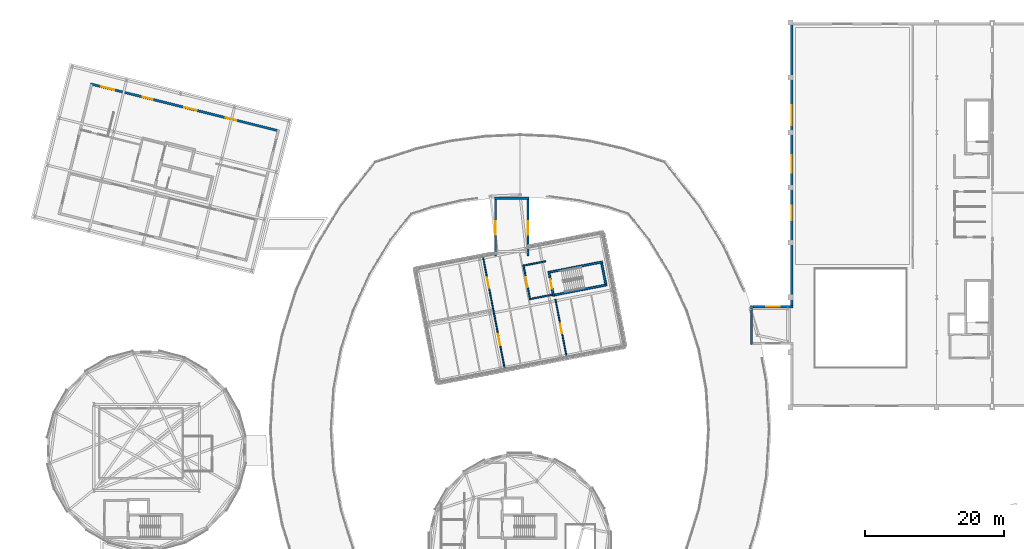
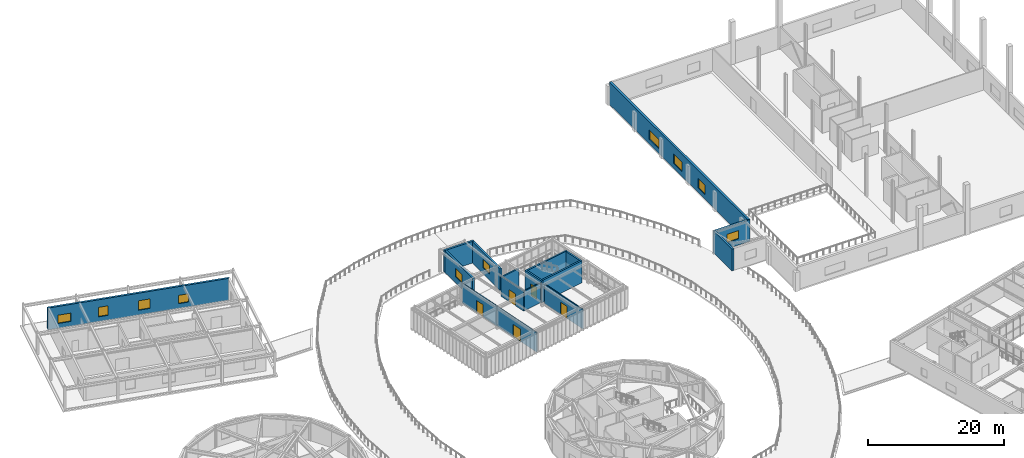
# One storey, part 36 of 59: 17 walls, 10 windows, 5 doors, 15 openings.
"""IFC4 building model written with IfcOpenShell, lengths in metres."""

from ifc_helpers import new_model, si_unit, direction, frame, frame_2d, origin, place, context, subcontext, project, spatial, rectangle, extrude, material, layer, layer_set, type_object, element, fill, save


model = new_model("IFC4")

# Units and contexts
model_context = context("Model", 3, precision=1e-05, world=origin(), true_north=direction((0.0, 1.0)))
body_context = subcontext(model_context, "Body", "Model", "MODEL_VIEW")
ifc_project = project(units=[si_unit("LENGTHUNIT", "METRE"), si_unit("AREAUNIT", "SQUARE_METRE"), si_unit("VOLUMEUNIT", "CUBIC_METRE"), si_unit("PLANEANGLEUNIT", "RADIAN"), si_unit("MASSUNIT", "GRAM", prefix="KILO")], contexts=[model_context])

# Site, building, storey
site_placement = place(None, origin())
site = spatial("IfcSite", under=ifc_project, at=site_placement, CompositionType="ELEMENT")
building_placement = place(site_placement, origin())
building = spatial("IfcBuilding", under=site, at=building_placement, Name="Varnklinge Art Gallery", CompositionType="ELEMENT")
storey_placement = place(building_placement, frame((0.0, 0.0, 9.52001953125)))
storey = spatial("IfcBuildingStorey", under=building, at=storey_placement, Name="L02", CompositionType="ELEMENT", Elevation=9.52001953125)

# Wall, opening, window
ifc_material_1 = material(Name="Precast concrete C40/50", Category="concrete")
ifc_layer_1 = layer(ifc_material_1, 0.320068359375)
ifc_layer_set_1 = layer_set([ifc_layer_1], Name="Precast concrete C40/50")
wall_type_1 = type_object("IfcWallType", Name="EW-32", PredefinedType="SOLIDWALL", material=ifc_layer_set_1)
wall_1_placement = place(storey_placement, frame((108.974365234375, 72.639892578125, 0.0), z_axis=(0.0, 0.0, 1.0), x_axis=(1.0, 0.0, 0.0)))
wall_1 = element("IfcWall", 1, at=wall_1_placement, inside=storey, type_object=wall_type_1, Name="L02 Gallery Link Wall EW-LNK-V1-L02-N", PredefinedType="SOLIDWALL", context=body_context, shape_type="SweptSolid", body=[
    extrude(rectangle(XDim=5.775634765625, YDim=0.320068359375, at=frame_2d((2.8876953125, 0.0))), origin(), (0.0, 0.0, 1.0), 3.909912109375),
])
opening_1_placement = place(wall_1_placement, frame((1.912841796875, 0.0, 1.1201171875)))
opening_1 = element("IfcOpeningElement", 2, at=opening_1_placement, cuts=wall_1, Name="Opening WN-05", PredefinedType="OPENING", context=body_context, shape_type="SweptSolid", body=[
    extrude(rectangle(XDim=1.949951171875, YDim=1.5, at=frame_2d((0.97509765625, 0.75))), frame((0.0, 0.170166015625, 0.0), z_axis=(0.0, -1.0, 0.0), x_axis=(1.0, 0.0, 0.0)), (0.0, 0.0, 1.0), 0.340087890625),
])
ifc_material_2 = material(Name="Insulated Low-E Triple Glazing", Category="glass")
window_type_1 = type_object("IfcWindowType", Name="WN-05", PartitioningType="SINGLE_PANEL", PredefinedType="WINDOW", material=ifc_material_2)
window_1_placement = place(opening_1_placement, origin())
window_1 = element("IfcWindow", 3, at=window_1_placement, inside=storey, type_object=window_type_1, Name="L02 Window WIN-L02-213", OverallHeight=1.5, OverallWidth=1.949951171875, PartitioningType="SINGLE_PANEL", PredefinedType="WINDOW", context=body_context, shape_type="SweptSolid", body=[
    extrude(rectangle(XDim=1.949951171875, YDim=1.5, at=frame_2d((0.97509765625, 0.75))), frame((0.0, 0.030029296875, 0.0), z_axis=(0.0, -1.0, 0.0), x_axis=(1.0, 0.0, 0.0)), (0.0, 0.0, 1.0), 0.06005859375),
])
fill(opening_1, window_1)

# Wall
wall_2_placement = place(storey_placement, frame((108.79443359375, 67.199951171875, 0.0), z_axis=(0.0, 0.0, 1.0), x_axis=(0.0, 1.0, 0.0)))
element("IfcWall", 4, at=wall_2_placement, inside=storey, type_object=wall_type_1, Name="EW-LNK-V1-L02-END", PredefinedType="SOLIDWALL", context=body_context, shape_type="SweptSolid", body=[
    extrude(rectangle(XDim=5.60009765625, YDim=0.320068359375, at=frame_2d((2.800048828125, 0.0))), origin(), (0.0, 0.0, 1.0), 3.909912109375),
])

# Wall, opening, window
wall_3_placement = place(storey_placement, frame((71.9599609375, 79.91796875, 0.0), z_axis=(0.0, 0.0, 1.0), x_axis=(0.0, 1.0, 0.0)))
wall_3 = element("IfcWall", 5, at=wall_3_placement, inside=storey, type_object=wall_type_1, Name="L02 Gallery Link Wall EW-LNK-V4N-L02-W", PredefinedType="SOLIDWALL", context=body_context, shape_type="SweptSolid", body=[
    extrude(rectangle(XDim=8.137451171875, YDim=0.320068359375, at=frame_2d((4.06884765625, 0.0))), origin(), (0.0, 0.0, 1.0), 3.909912109375),
])
opening_2_placement = place(wall_3_placement, frame((3.09375, 0.0, 1.1201171875)))
opening_2 = element("IfcOpeningElement", 6, at=opening_2_placement, cuts=wall_3, Name="Opening WN-05", PredefinedType="OPENING", context=body_context, shape_type="SweptSolid", body=[
    extrude(rectangle(XDim=1.949951171875, YDim=1.5, at=frame_2d((0.97509765625, 0.75))), frame((0.0, 0.170166015625, 0.0), z_axis=(0.0, -1.0, 0.0), x_axis=(1.0, 0.0, 0.0)), (0.0, 0.0, 1.0), 0.340087890625),
])
window_2_placement = place(opening_2_placement, origin())
window_2 = element("IfcWindow", 7, at=window_2_placement, inside=storey, type_object=window_type_1, Name="L02 Window WIN-L02-227", OverallHeight=1.5, OverallWidth=1.949951171875, PartitioningType="SINGLE_PANEL", PredefinedType="WINDOW", context=body_context, shape_type="SweptSolid", body=[
    extrude(rectangle(XDim=1.949951171875, YDim=1.5, at=frame_2d((0.97509765625, 0.75))), frame((0.0, 0.030029296875, 0.0), z_axis=(0.0, -1.0, 0.0), x_axis=(1.0, 0.0, 0.0)), (0.0, 0.0, 1.0), 0.06005859375),
])
fill(opening_2, window_2)

wall_4_placement = place(storey_placement, frame((76.639892578125, 88.055419921875, 0.0), z_axis=(0.0, 0.0, 1.0), x_axis=(0.0, -1.0, 0.0)))
wall_4 = element("IfcWall", 8, at=wall_4_placement, inside=storey, type_object=wall_type_1, Name="L02 Gallery Link Wall EW-LNK-V4N-L02-E", PredefinedType="SOLIDWALL", context=body_context, shape_type="SweptSolid", body=[
    extrude(rectangle(XDim=8.137451171875, YDim=0.320068359375, at=frame_2d((4.06884765625, 0.0))), origin(), (0.0, 0.0, 1.0), 3.909912109375),
])
opening_3_placement = place(wall_4_placement, frame((3.09375, 0.0, 1.1201171875)))
opening_3 = element("IfcOpeningElement", 9, at=opening_3_placement, cuts=wall_4, Name="Opening WN-05", PredefinedType="OPENING", context=body_context, shape_type="SweptSolid", body=[
    extrude(rectangle(XDim=1.949951171875, YDim=1.5, at=frame_2d((0.97509765625, 0.75))), frame((0.0, 0.170166015625, 0.0), z_axis=(0.0, -1.0, 0.0), x_axis=(1.0, 0.0, 0.0)), (0.0, 0.0, 1.0), 0.340087890625),
])
window_3_placement = place(opening_3_placement, origin())
window_3 = element("IfcWindow", 10, at=window_3_placement, inside=storey, type_object=window_type_1, Name="L02 Window WIN-L02-228", OverallHeight=1.5, OverallWidth=1.949951171875, PartitioningType="SINGLE_PANEL", PredefinedType="WINDOW", context=body_context, shape_type="SweptSolid", body=[
    extrude(rectangle(XDim=1.949951171875, YDim=1.5, at=frame_2d((0.97509765625, 0.75))), frame((0.0, 0.030029296875, 0.0), z_axis=(0.0, -1.0, 0.0), x_axis=(1.0, 0.0, 0.0)), (0.0, 0.0, 1.0), 0.06005859375),
])
fill(opening_3, window_3)

# Wall
wall_5_placement = place(storey_placement, frame((71.800048828125, 88.2353515625, 0.0), z_axis=(0.0, 0.0, 1.0), x_axis=(1.0, 0.0, 0.0)))
element("IfcWall", 11, at=wall_5_placement, inside=storey, type_object=wall_type_1, Name="EW-LNK-V4N-L02-END", PredefinedType="SOLIDWALL", context=body_context, shape_type="SweptSolid", body=[
    extrude(rectangle(XDim=5.0, YDim=0.320068359375, at=frame_2d((2.5, 0.0))), origin(), (0.0, 0.0, 1.0), 3.909912109375),
])

# Wall, openings, windows
ifc_material_3 = material(Name="Precast concrete C40/50", Category="concrete")
ifc_layer_2 = layer(ifc_material_3, 0.340087890625)
ifc_layer_set_2 = layer_set([ifc_layer_2], Name="Precast concrete C40/50")
wall_type_2 = type_object("IfcWallType", Name="EW-34", PredefinedType="SOLIDWALL", material=ifc_layer_set_2)
wall_6_placement = place(storey_placement, frame((13.7333984375, 104.682373046875, 0.0), z_axis=(0.0, 0.0, 1.0), x_axis=(0.970296082692, -0.24192046609, 0.0)))
wall_6 = element("IfcWall", 12, at=wall_6_placement, inside=storey, type_object=wall_type_2, Name="L02 Exterior Wall EW-V5-L02-02", PredefinedType="SOLIDWALL", context=body_context, shape_type="SweptSolid", body=[
    extrude(rectangle(XDim=27.830078125, YDim=0.340087890625, at=frame_2d((13.9150390625, 0.0))), origin(), (0.0, 0.0, 1.0), 3.919921875),
])
opening_4_placement = place(wall_6_placement, frame((1.60009765625, 0.0, 0.85009765625)))
opening_4 = element("IfcOpeningElement", 13, at=opening_4_placement, cuts=wall_6, Name="Opening WN-05", PredefinedType="OPENING", context=body_context, shape_type="SweptSolid", body=[
    extrude(rectangle(XDim=1.949951171875, YDim=1.5, at=frame_2d((0.97509765625, 0.75))), frame((0.0, 0.179931640625, 0.0), z_axis=(0.0, -1.0, 0.0), x_axis=(1.0, 0.0, 0.0)), (0.0, 0.0, 1.0), 0.360107421875),
])
opening_5_placement = place(wall_6_placement, frame((7.757568359375, 0.0, 0.85009765625)))
opening_5 = element("IfcOpeningElement", 14, at=opening_5_placement, cuts=wall_6, Name="Opening WN-10", PredefinedType="OPENING", context=body_context, shape_type="SweptSolid", body=[
    extrude(rectangle(XDim=1.5, YDim=1.699951171875, at=frame_2d((0.75, 0.85009765625))), frame((0.0, 0.179931640625, 0.0), z_axis=(0.0, -1.0, 0.0), x_axis=(1.0, 0.0, 0.0)), (0.0, 0.0, 1.0), 0.360107421875),
])
opening_6_placement = place(wall_6_placement, frame((13.9150390625, 0.0, 0.85009765625)))
opening_6 = element("IfcOpeningElement", 15, at=opening_6_placement, cuts=wall_6, Name="Opening WN-11", PredefinedType="OPENING", context=body_context, shape_type="SweptSolid", body=[
    extrude(rectangle(XDim=1.800048828125, YDim=1.699951171875, at=frame_2d((0.89990234375, 0.85009765625))), frame((0.0, 0.179931640625, 0.0), z_axis=(0.0, -1.0, 0.0), x_axis=(1.0, 0.0, 0.0)), (0.0, 0.0, 1.0), 0.360107421875),
])
opening_7_placement = place(wall_6_placement, frame((20.072509765625, 0.0, 0.85009765625)))
opening_7 = element("IfcOpeningElement", 16, at=opening_7_placement, cuts=wall_6, Name="Opening WN-03", PredefinedType="OPENING", context=body_context, shape_type="SweptSolid", body=[
    extrude(rectangle(XDim=1.550048828125, YDim=1.5, at=frame_2d((0.77490234375, 0.75))), frame((0.0, 0.179931640625, 0.0), z_axis=(0.0, -1.0, 0.0), x_axis=(1.0, 0.0, 0.0)), (0.0, 0.0, 1.0), 0.360107421875),
])
ifc_material_4 = material(Name="Insulated Low-E Triple Glazing", Category="glass")
window_type_2 = type_object("IfcWindowType", Name="WN-03", PartitioningType="SINGLE_PANEL", PredefinedType="WINDOW", material=ifc_material_4)
window_4_placement = place(opening_7_placement, origin())
window_4 = element("IfcWindow", 17, at=window_4_placement, inside=storey, type_object=window_type_2, Name="L02 Window WIN-L02-144", OverallHeight=1.5, OverallWidth=1.550048828125, PartitioningType="SINGLE_PANEL", PredefinedType="WINDOW", context=body_context, shape_type="SweptSolid", body=[
    extrude(rectangle(XDim=1.550048828125, YDim=1.5, at=frame_2d((0.77490234375, 0.75))), frame((0.0, 0.030029296875, 0.0), z_axis=(0.0, -1.0, 0.0), x_axis=(1.0, 0.0, 0.0)), (0.0, 0.0, 1.0), 0.06005859375),
])
fill(opening_7, window_4)
window_5_placement = place(opening_4_placement, origin())
window_5 = element("IfcWindow", 18, at=window_5_placement, inside=storey, type_object=window_type_1, Name="L02 Window WIN-L02-141", OverallHeight=1.5, OverallWidth=1.949951171875, PartitioningType="SINGLE_PANEL", PredefinedType="WINDOW", context=body_context, shape_type="SweptSolid", body=[
    extrude(rectangle(XDim=1.949951171875, YDim=1.5, at=frame_2d((0.97509765625, 0.75))), frame((0.0, 0.030029296875, 0.0), z_axis=(0.0, -1.0, 0.0), x_axis=(1.0, 0.0, 0.0)), (0.0, 0.0, 1.0), 0.06005859375),
])
fill(opening_4, window_5)
ifc_material_5 = material(Name="Insulated Low-E Triple Glazing", Category="glass")
window_type_3 = type_object("IfcWindowType", Name="WN-10", PartitioningType="SINGLE_PANEL", PredefinedType="WINDOW", material=ifc_material_5)
window_6_placement = place(opening_5_placement, origin())
window_6 = element("IfcWindow", 19, at=window_6_placement, inside=storey, type_object=window_type_3, Name="L02 Window WIN-L02-142", OverallHeight=1.699951171875, OverallWidth=1.5, PartitioningType="SINGLE_PANEL", PredefinedType="WINDOW", context=body_context, shape_type="SweptSolid", body=[
    extrude(rectangle(XDim=1.5, YDim=1.699951171875, at=frame_2d((0.75, 0.85009765625))), frame((0.0, 0.030029296875, 0.0), z_axis=(0.0, -1.0, 0.0), x_axis=(1.0, 0.0, 0.0)), (0.0, 0.0, 1.0), 0.06005859375),
])
fill(opening_5, window_6)
ifc_material_6 = material(Name="Insulated Low-E Triple Glazing", Category="glass")
window_type_4 = type_object("IfcWindowType", Name="WN-11", PartitioningType="SINGLE_PANEL", PredefinedType="WINDOW", material=ifc_material_6)
window_7_placement = place(opening_6_placement, origin())
window_7 = element("IfcWindow", 20, at=window_7_placement, inside=storey, type_object=window_type_4, Name="L02 Window WIN-L02-143", OverallHeight=1.699951171875, OverallWidth=1.800048828125, PartitioningType="SINGLE_PANEL", PredefinedType="WINDOW", context=body_context, shape_type="SweptSolid", body=[
    extrude(rectangle(XDim=1.800048828125, YDim=1.699951171875, at=frame_2d((0.89990234375, 0.85009765625))), frame((0.0, 0.030029296875, 0.0), z_axis=(0.0, -1.0, 0.0), x_axis=(1.0, 0.0, 0.0)), (0.0, 0.0, 1.0), 0.06005859375),
])
fill(opening_6, window_7)

ifc_material_7 = material(Name="Concrete C40/50", Category="concrete")
ifc_layer_3 = layer(ifc_material_7, 0.360107421875)
ifc_layer_set_3 = layer_set([ifc_layer_3], Name="Concrete C40/50")
wall_type_3 = type_object("IfcWallType", Name="EW-36", PredefinedType="SOLIDWALL", material=ifc_layer_set_3)
wall_7_placement = place(storey_placement, frame((114.580078125, 72.47998046875, 0.0), z_axis=(0.0, 0.0, 1.0), x_axis=(0.0, 1.0, 0.0)))
wall_7 = element("IfcWall", 21, at=wall_7_placement, inside=storey, type_object=wall_type_3, Name="L02 Exterior Wall EW-V1-L02-02", PredefinedType="SOLIDWALL", context=body_context, shape_type="SweptSolid", body=[
    extrude(rectangle(XDim=40.840087890625, YDim=0.360107421875, at=frame_2d((20.419921875, 0.0))), origin(), (0.0, 0.0, 1.0), 4.0),
])
opening_8_placement = place(wall_7_placement, frame((12.61328125, 0.0, 0.85009765625)))
opening_8 = element("IfcOpeningElement", 22, at=opening_8_placement, cuts=wall_7, Name="Opening WN-12", PredefinedType="OPENING", context=body_context, shape_type="SweptSolid", body=[
    extrude(rectangle(XDim=2.10009765625, YDim=1.699951171875, at=frame_2d((1.050048828125, 0.85009765625))), frame((0.0, 0.190185546875, 0.0), z_axis=(0.0, -1.0, 0.0), x_axis=(1.0, 0.0, 0.0)), (0.0, 0.0, 1.0), 0.380126953125),
])
opening_9_placement = place(wall_7_placement, frame((19.419921875, 0.0, 0.85009765625)))
opening_9 = element("IfcOpeningElement", 23, at=opening_9_placement, cuts=wall_7, Name="Opening WN-13", PredefinedType="OPENING", context=body_context, shape_type="SweptSolid", body=[
    extrude(rectangle(XDim=2.5, YDim=1.699951171875, at=frame_2d((1.25, 0.85009765625))), frame((0.0, 0.190185546875, 0.0), z_axis=(0.0, -1.0, 0.0), x_axis=(1.0, 0.0, 0.0)), (0.0, 0.0, 1.0), 0.380126953125),
])
opening_10_placement = place(wall_7_placement, frame((26.226806640625, 0.0, 0.85009765625)))
opening_10 = element("IfcOpeningElement", 24, at=opening_10_placement, cuts=wall_7, Name="Opening WN-14", PredefinedType="OPENING", context=body_context, shape_type="SweptSolid", body=[
    extrude(rectangle(XDim=2.89990234375, YDim=1.699951171875, at=frame_2d((1.449951171875, 0.85009765625))), frame((0.0, 0.190185546875, 0.0), z_axis=(0.0, -1.0, 0.0), x_axis=(1.0, 0.0, 0.0)), (0.0, 0.0, 1.0), 0.380126953125),
])
ifc_material_8 = material(Name="Insulated Low-E Triple Glazing", Category="glass")
window_type_5 = type_object("IfcWindowType", Name="WN-12", PartitioningType="SINGLE_PANEL", PredefinedType="WINDOW", material=ifc_material_8)
window_8_placement = place(opening_8_placement, origin())
window_8 = element("IfcWindow", 25, at=window_8_placement, inside=storey, type_object=window_type_5, Name="L02 Window WIN-L02-029", OverallHeight=1.699951171875, OverallWidth=2.10009765625, PartitioningType="SINGLE_PANEL", PredefinedType="WINDOW", context=body_context, shape_type="SweptSolid", body=[
    extrude(rectangle(XDim=2.10009765625, YDim=1.699951171875, at=frame_2d((1.050048828125, 0.85009765625))), frame((0.0, 0.030029296875, 0.0), z_axis=(0.0, -1.0, 0.0), x_axis=(1.0, 0.0, 0.0)), (0.0, 0.0, 1.0), 0.06005859375),
])
fill(opening_8, window_8)
ifc_material_9 = material(Name="Insulated Low-E Triple Glazing", Category="glass")
window_type_6 = type_object("IfcWindowType", Name="WN-13", PartitioningType="SINGLE_PANEL", PredefinedType="WINDOW", material=ifc_material_9)
window_9_placement = place(opening_9_placement, origin())
window_9 = element("IfcWindow", 26, at=window_9_placement, inside=storey, type_object=window_type_6, Name="L02 Window WIN-L02-030", OverallHeight=1.699951171875, OverallWidth=2.5, PartitioningType="SINGLE_PANEL", PredefinedType="WINDOW", context=body_context, shape_type="SweptSolid", body=[
    extrude(rectangle(XDim=2.5, YDim=1.699951171875, at=frame_2d((1.25, 0.85009765625))), frame((0.0, 0.030029296875, 0.0), z_axis=(0.0, -1.0, 0.0), x_axis=(1.0, 0.0, 0.0)), (0.0, 0.0, 1.0), 0.06005859375),
])
fill(opening_9, window_9)
ifc_material_10 = material(Name="Insulated Low-E Triple Glazing", Category="glass")
window_type_7 = type_object("IfcWindowType", Name="WN-14", PartitioningType="SINGLE_PANEL", PredefinedType="WINDOW", material=ifc_material_10)
window_10_placement = place(opening_10_placement, origin())
window_10 = element("IfcWindow", 27, at=window_10_placement, inside=storey, type_object=window_type_7, Name="L02 Window WIN-L02-031", OverallHeight=1.699951171875, OverallWidth=2.89990234375, PartitioningType="SINGLE_PANEL", PredefinedType="WINDOW", context=body_context, shape_type="SweptSolid", body=[
    extrude(rectangle(XDim=2.89990234375, YDim=1.699951171875, at=frame_2d((1.449951171875, 0.85009765625))), frame((0.0, 0.030029296875, 0.0), z_axis=(0.0, -1.0, 0.0), x_axis=(1.0, 0.0, 0.0)), (0.0, 0.0, 1.0), 0.06005859375),
])
fill(opening_10, window_10)

# Wall, opening, door
ifc_material_11 = material(Name="Gypsum Board Partition", Category="gypsum")
ifc_layer_4 = layer(ifc_material_11, 0.179931640625)
ifc_layer_set_4 = layer_set([ifc_layer_4], Name="Gypsum Board Partition")
wall_type_4 = type_object("IfcWallType", Name="IW-18", PredefinedType="PARTITIONING", material=ifc_layer_set_4)
wall_8_placement = place(storey_placement, frame((71.650634765625, 72.23046875, 0.0), z_axis=(0.0, 0.0, 1.0), x_axis=(-0.190786732806, 0.981631510591, 0.0)))
wall_8 = element("IfcWall", 28, at=wall_8_placement, inside=storey, type_object=wall_type_4, Name="L02 Partition Wall IW-L02-0296", PredefinedType="PARTITIONING", context=body_context, shape_type="SweptSolid", body=[
    extrude(rectangle(XDim=7.880126953125, YDim=0.179931640625, at=frame_2d((3.93994140625, 0.0))), origin(), (0.0, 0.0, 1.0), 3.550048828125),
])
opening_11_placement = place(wall_8_placement, frame((3.22998046875, 0.0, 0.0)))
opening_11 = element("IfcOpeningElement", 29, at=opening_11_placement, cuts=wall_8, Name="Opening D-L02-235", PredefinedType="OPENING", context=body_context, shape_type="SweptSolid", body=[
    extrude(rectangle(XDim=1.419921875, YDim=2.179931640625, at=frame_2d((0.7099609375, 1.08984375))), frame((0.0, 0.099853515625, 0.0), z_axis=(0.0, -1.0, 0.0), x_axis=(1.0, 0.0, 0.0)), (0.0, 0.0, 1.0), 0.199951171875),
])
ifc_material_12 = material(Name="Oak Timber Leaf", Category="wood")
door_type_1 = type_object("IfcDoorType", Name="ID-07", OperationType="DOUBLE_DOOR_SINGLE_SWING", PredefinedType="DOOR", material=ifc_material_12)
door_1_placement = place(opening_11_placement, origin())
door_1 = element("IfcDoor", 30, at=door_1_placement, inside=storey, type_object=door_type_1, Name="L02 L02 Lattice North Daylight Gallery Door D-L02-235", OperationType="DOUBLE_DOOR_SINGLE_SWING", OverallHeight=2.179931640625, OverallWidth=1.419921875, PredefinedType="DOOR", context=body_context, shape_type="SweptSolid", body=[
    extrude(rectangle(XDim=1.419921875, YDim=2.179931640625, at=frame_2d((0.7099609375, 1.08984375))), frame((0.0, 0.02490234375, 0.0), z_axis=(0.0, -1.0, 0.0), x_axis=(1.0, 0.0, 0.0)), (0.0, 0.0, 1.0), 0.050048828125),
])
fill(opening_11, door_1)

wall_9_placement = place(storey_placement, frame((73.33349609375, 63.57275390625, 0.0), z_axis=(0.0, 0.0, 1.0), x_axis=(-0.190805940679, 0.981627777216, 0.0)))
wall_9 = element("IfcWall", 31, at=wall_9_placement, inside=storey, type_object=wall_type_4, Name="L02 Partition Wall IW-L02-0297", PredefinedType="PARTITIONING", context=body_context, shape_type="SweptSolid", body=[
    extrude(rectangle(XDim=8.81982421875, YDim=0.179931640625, at=frame_2d((4.409912109375, 0.0))), origin(), (0.0, 0.0, 1.0), 3.5),
])
opening_12_placement = place(wall_9_placement, frame((3.58984375, 0.0, 0.0)))
opening_12 = element("IfcOpeningElement", 32, at=opening_12_placement, cuts=wall_9, Name="Opening D-L02-236", PredefinedType="OPENING", context=body_context, shape_type="SweptSolid", body=[
    extrude(rectangle(XDim=1.639892578125, YDim=2.199951171875, at=frame_2d((0.81982421875, 1.10009765625))), frame((0.0, 0.099853515625, 0.0), z_axis=(0.0, -1.0, 0.0), x_axis=(1.0, 0.0, 0.0)), (0.0, 0.0, 1.0), 0.199951171875),
])
ifc_material_13 = material(Name="Oak Timber Leaf", Category="wood")
door_type_2 = type_object("IfcDoorType", Name="ID-08", OperationType="DOUBLE_DOOR_SINGLE_SWING", PredefinedType="DOOR", material=ifc_material_13)
door_2_placement = place(opening_12_placement, origin())
door_2 = element("IfcDoor", 33, at=door_2_placement, inside=storey, type_object=door_type_2, Name="L02 L02 Lattice Time-Based Media Gallery Door D-L02-236", OperationType="DOUBLE_DOOR_SINGLE_SWING", OverallHeight=2.199951171875, OverallWidth=1.639892578125, PredefinedType="DOOR", context=body_context, shape_type="SweptSolid", body=[
    extrude(rectangle(XDim=1.639892578125, YDim=2.199951171875, at=frame_2d((0.81982421875, 1.10009765625))), frame((0.0, 0.02490234375, 0.0), z_axis=(0.0, -1.0, 0.0), x_axis=(1.0, 0.0, 0.0)), (0.0, 0.0, 1.0), 0.050048828125),
])
fill(opening_12, door_2)

wall_10_placement = place(storey_placement, frame((80.590087890625, 73.7236328125, 0.0), z_axis=(0.0, 0.0, 1.0), x_axis=(0.190821676148, -0.98162471847, 0.0)))
wall_10 = element("IfcWall", 34, at=wall_10_placement, inside=storey, type_object=wall_type_4, Name="L02 Partition Wall IW-L02-0298", PredefinedType="PARTITIONING", context=body_context, shape_type="SweptSolid", body=[
    extrude(rectangle(XDim=8.579833984375, YDim=0.179931640625, at=frame_2d((4.2900390625, 0.0))), origin(), (0.0, 0.0, 1.0), 3.5),
])
opening_13_placement = place(wall_10_placement, frame((3.580078125, 0.0, 0.0)))
opening_13 = element("IfcOpeningElement", 35, at=opening_13_placement, cuts=wall_10, Name="Opening D-L02-237", PredefinedType="OPENING", context=body_context, shape_type="SweptSolid", body=[
    extrude(rectangle(XDim=1.419921875, YDim=2.179931640625, at=frame_2d((0.7099609375, 1.08984375))), frame((0.0, 0.099853515625, 0.0), z_axis=(0.0, -1.0, 0.0), x_axis=(1.0, 0.0, 0.0)), (0.0, 0.0, 1.0), 0.199951171875),
])
door_3_placement = place(opening_13_placement, origin())
door_3 = element("IfcDoor", 36, at=door_3_placement, inside=storey, type_object=door_type_1, Name="L02 L02 Lattice Archival Screening Room Door D-L02-237", OperationType="DOUBLE_DOOR_SINGLE_SWING", OverallHeight=2.179931640625, OverallWidth=1.419921875, PredefinedType="DOOR", context=body_context, shape_type="SweptSolid", body=[
    extrude(rectangle(XDim=1.419921875, YDim=2.179931640625, at=frame_2d((0.7099609375, 1.08984375))), frame((0.0, 0.02490234375, 0.0), z_axis=(0.0, -1.0, 0.0), x_axis=(1.0, 0.0, 0.0)), (0.0, 0.0, 1.0), 0.050048828125),
])
fill(opening_13, door_3)

# Walls
ifc_material_14 = material(Name="Concrete C40/50", Category="concrete")
ifc_layer_5 = layer(ifc_material_14, 0.199951171875)
ifc_layer_set_5 = layer_set([ifc_layer_5], Name="Concrete C40/50")
wall_type_5 = type_object("IfcWallType", Name="IW-20", PredefinedType="PARTITIONING", material=ifc_layer_set_5)
for number, where, z_axis, x_axis, name in (
    (37, (77.03662109375, 73.7666015625, 0.0), (0.0, 0.0, 1.0), (0.981639181901, 0.190747258323, 0.0), "L02 Core C8 Lobby South Wall"),
    (38, (79.193603515625, 79.177490234375, 0.0), (0.0, 0.0, 1.0), (-0.981624666284, -0.190821944603, 0.0), "L02 Core C8 Lobby North Wall"),
):
    element("IfcWall", number, at=place(storey_placement, frame(where, z_axis=z_axis, x_axis=x_axis)), inside=storey, type_object=wall_type_5, Name=name, PredefinedType="PARTITIONING", context=body_context, shape_type="SweptSolid", body=[
        extrude(rectangle(XDim=3.14990234375, YDim=0.199951171875, at=frame_2d((1.574951171875, 0.0))), origin(), (0.0, 0.0, 1.0), 3.550048828125),
    ])

# Wall, opening, door
wall_11_placement = place(storey_placement, frame((76.95751953125, 73.649169921875, 0.0), z_axis=(0.0, 0.0, 1.0), x_axis=(-0.190810719655, 0.98162684828, 0.0)))
wall_11 = element("IfcWall", 39, at=wall_11_placement, inside=storey, type_object=wall_type_5, Name="L02 Core C8 Lobby Corridor Wall", PredefinedType="PARTITIONING", context=body_context, shape_type="SweptSolid", body=[
    extrude(rectangle(XDim=5.10009765625, YDim=0.199951171875, at=frame_2d((2.550048828125, 0.0))), origin(), (0.0, 0.0, 1.0), 3.60986328125),
])
opening_14_placement = place(wall_11_placement, frame((1.81005859375, 0.0, 0.0)))
opening_14 = element("IfcOpeningElement", 40, at=opening_14_placement, cuts=wall_11, Name="Opening D-L02-113", PredefinedType="OPENING", context=body_context, shape_type="SweptSolid", body=[
    extrude(rectangle(XDim=1.47998046875, YDim=2.14990234375, at=frame_2d((0.739990234375, 1.074951171875))), frame((0.0, 0.110107421875, 0.0), z_axis=(0.0, -1.0, 0.0), x_axis=(1.0, 0.0, 0.0)), (0.0, 0.0, 1.0), 0.219970703125),
])
ifc_material_15 = material(Name="Galvanised Fire-Rated Steel", Category="steel")
door_type_3 = type_object("IfcDoorType", Name="ID-LB1", OperationType="DOUBLE_DOOR_SINGLE_SWING", PredefinedType="DOOR", material=ifc_material_15)
door_4_placement = place(opening_14_placement, origin())
door_4 = element("IfcDoor", 41, at=door_4_placement, inside=storey, type_object=door_type_3, Name="L02 Core C8 Protected Lobby Door D-L02-113", OperationType="DOUBLE_DOOR_SINGLE_SWING", OverallHeight=2.14990234375, OverallWidth=1.47998046875, PredefinedType="DOOR", context=body_context, shape_type="SweptSolid", body=[
    extrude(rectangle(XDim=1.47998046875, YDim=2.14990234375, at=frame_2d((0.739990234375, 1.074951171875))), frame((0.0, 0.02490234375, 0.0), z_axis=(0.0, -1.0, 0.0), x_axis=(1.0, 0.0, 0.0)), (0.0, 0.0, 1.0), 0.050048828125),
])
fill(opening_14, door_4)

# Walls
ifc_material_16 = material(Name="Concrete C40/50", Category="concrete")
ifc_layer_6 = layer(ifc_material_16, 0.280029296875)
ifc_layer_set_6 = layer_set([ifc_layer_6], Name="Concrete C40/50")
wall_type_6 = type_object("IfcWallType", Name="SW-28", PredefinedType="SHEAR", material=ifc_layer_set_6)
wall_12_placement = place(storey_placement, frame((80.432373046875, 74.32470703125, 0.0), z_axis=(0.0, 0.0, 1.0), x_axis=(0.981627268792, 0.190808556318, 0.0)))
element("IfcWall", 42, at=wall_12_placement, inside=storey, type_object=wall_type_6, Name="L02 Core C8 South Shear Wall", PredefinedType="SHEAR", context=body_context, shape_type="SweptSolid", body=[
    extrude(rectangle(XDim=7.699951171875, YDim=0.280029296875, at=frame_2d((3.85009765625, 0.0))), origin(), (0.0, 0.0, 1.0), 3.9599609375),
])
wall_13_placement = place(storey_placement, frame((87.826904296875, 75.904541015625, 0.0), z_axis=(0.0, 0.0, 1.0), x_axis=(-0.190869659102, 0.981615389669, 0.0)))
element("IfcWall", 43, at=wall_13_placement, inside=storey, type_object=wall_type_6, Name="L02 Core C8 East Shear Wall", PredefinedType="SHEAR", context=body_context, shape_type="SweptSolid", body=[
    extrude(rectangle(XDim=3.080078125, YDim=0.280029296875, at=frame_2d((1.5400390625, 0.0))), origin(), (0.0, 0.0, 1.0), 3.9599609375),
])
wall_14_placement = place(storey_placement, frame((87.349853515625, 79.09228515625, 0.0), z_axis=(0.0, 0.0, 1.0), x_axis=(-0.98162132967, -0.190839107987, 0.0)))
element("IfcWall", 44, at=wall_14_placement, inside=storey, type_object=wall_type_6, Name="L02 Core C8 Dividing Shear Wall", PredefinedType="SHEAR", context=body_context, shape_type="SweptSolid", body=[
    extrude(rectangle(XDim=7.7001953125, YDim=0.280029296875, at=frame_2d((3.85009765625, 0.0))), origin(), (0.0, 0.0, 1.0), 3.9599609375),
])

# Wall, opening, door
wall_15_placement = place(storey_placement, frame((79.627197265625, 77.733642578125, 0.0), z_axis=(0.0, 0.0, 1.0), x_axis=(0.190812213529, -0.981626557897, 0.0)))
wall_15 = element("IfcWall", 45, at=wall_15_placement, inside=storey, type_object=wall_type_6, Name="L02 Core C8 Front Shear Wall", PredefinedType="SHEAR", context=body_context, shape_type="SweptSolid", body=[
    extrude(rectangle(XDim=3.64013671875, YDim=0.280029296875, at=frame_2d((1.820068359375, 0.0))), origin(), (0.0, 0.0, 1.0), 3.9599609375),
])
opening_15_placement = place(wall_15_placement, frame((1.199951171875, 0.0, 0.0)))
opening_15 = element("IfcOpeningElement", 46, at=opening_15_placement, cuts=wall_15, Name="Opening D-L02-112", PredefinedType="OPENING", context=body_context, shape_type="SweptSolid", body=[
    extrude(rectangle(XDim=1.320068359375, YDim=2.1201171875, at=frame_2d((0.66015625, 1.06005859375))), frame((0.0, 0.150146484375, 0.0), z_axis=(0.0, -1.0, 0.0), x_axis=(1.0, 0.0, 0.0)), (0.0, 0.0, 1.0), 0.300048828125),
])
ifc_material_17 = material(Name="Galvanised Fire-Rated Steel", Category="steel")
door_type_4 = type_object("IfcDoorType", Name="ID-ST1", OperationType="SINGLE_SWING_LEFT", PredefinedType="DOOR", material=ifc_material_17)
door_5_placement = place(opening_15_placement, origin())
door_5 = element("IfcDoor", 47, at=door_5_placement, inside=storey, type_object=door_type_4, Name="L02 Stair ST-10 Fire Door D-L02-112", OperationType="SINGLE_SWING_RIGHT", OverallHeight=2.1201171875, OverallWidth=1.320068359375, PredefinedType="DOOR", context=body_context, shape_type="SweptSolid", body=[
    extrude(rectangle(XDim=1.320068359375, YDim=2.1201171875, at=frame_2d((0.66015625, 1.06005859375))), frame((0.0, 0.02490234375, 0.0), z_axis=(0.0, -1.0, 0.0), x_axis=(1.0, 0.0, 0.0)), (0.0, 0.0, 1.0), 0.050048828125),
])
fill(opening_15, door_5)

save(model, "model.ifc")
